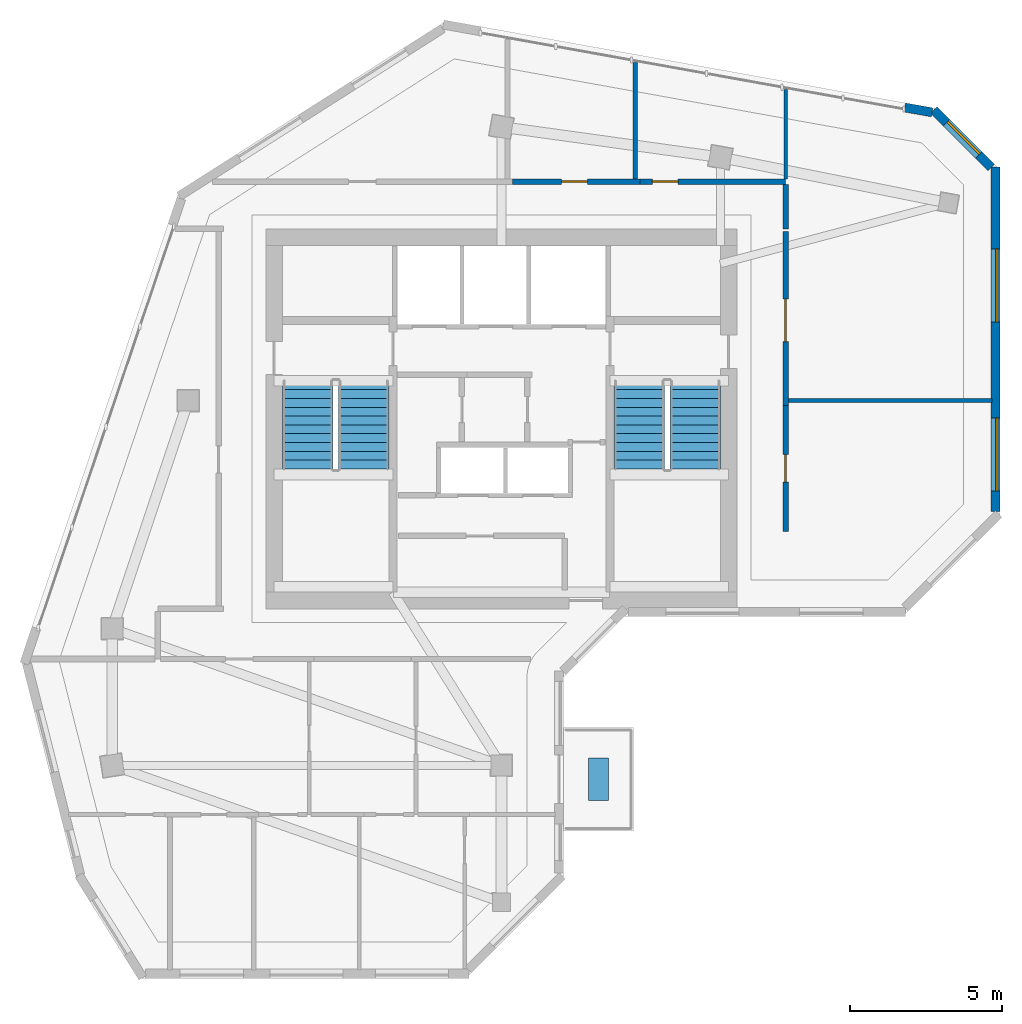
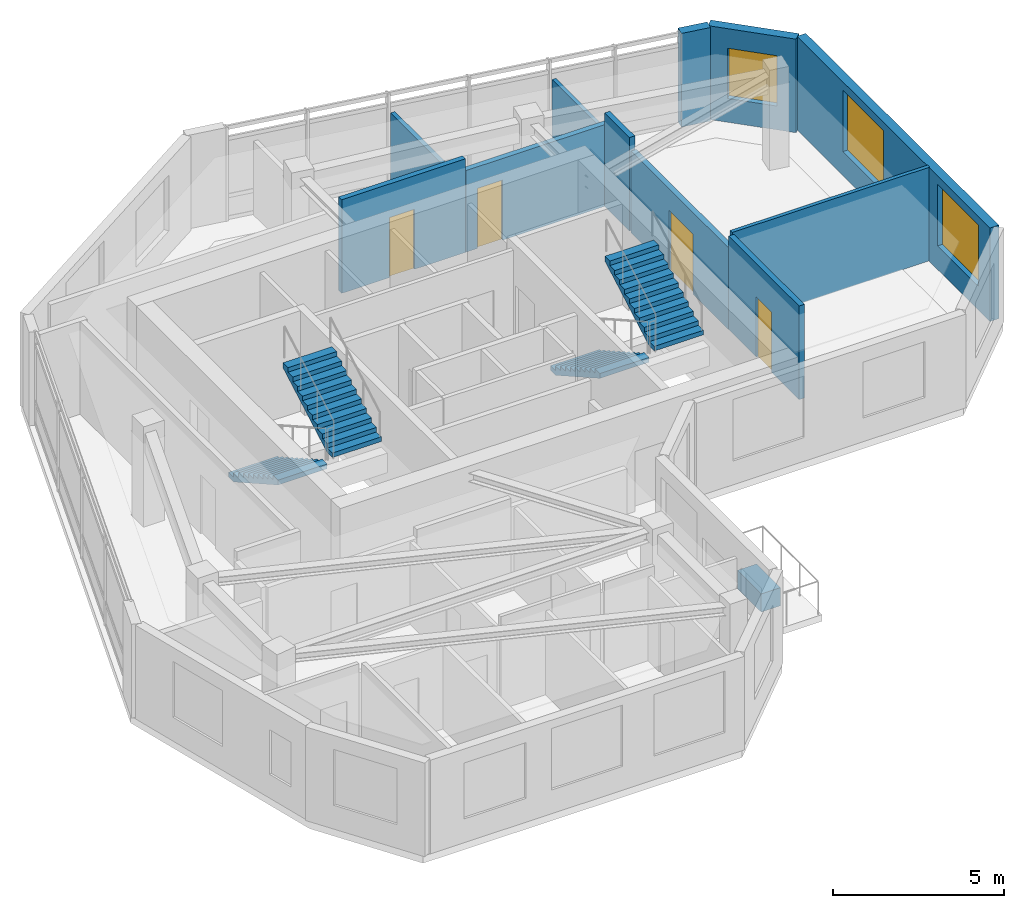
# One storey, part 5 of 7: 11 walls, 4 doors, 4 stair flights, 3 windows, 1 discrete accessory, 7 openings, 2 elements without a shape of their own.
"""IFC4 building model written with IfcOpenShell, lengths in metres."""

from ifc_helpers import new_model, si_unit, direction, frame, frame_2d, origin, origin_2d, place, context, subcontext, project, spatial, polyline, rectangle, outline, extrude, source, transform, mapped, material, layer, layer_set, type_object, element, fill, aggregate, save


model = new_model("IFC4")

# Units and contexts
model_context = context("Model", 3, precision=1e-05, world=origin(), true_north=direction((0.0, 1.0)))
body_context = subcontext(model_context, "Body", "Model", "MODEL_VIEW")
ifc_project = project(units=[si_unit("LENGTHUNIT", "METRE"), si_unit("AREAUNIT", "SQUARE_METRE"), si_unit("VOLUMEUNIT", "CUBIC_METRE"), si_unit("PLANEANGLEUNIT", "RADIAN"), si_unit("MASSUNIT", "GRAM", prefix="KILO")], contexts=[model_context])

# Site, building, storey
site_placement = place(None, origin())
site = spatial("IfcSite", under=ifc_project, at=site_placement, CompositionType="ELEMENT")
building_placement = place(site_placement, origin())
building = spatial("IfcBuilding", under=site, at=building_placement, Name="Calvemar Wedge Station Tower", CompositionType="ELEMENT")
storey_placement = place(building_placement, frame((0.0, 0.0, 288.89990234375)))
storey = spatial("IfcBuildingStorey", under=building, at=storey_placement, Name="L74", CompositionType="ELEMENT", Elevation=288.89990234375)

# Wall, opening, door
ifc_material_1 = material(Name="Double-stud fire-rated corridor partition")
ifc_layer_1 = layer(ifc_material_1, 0.179931640625)
ifc_layer_set_1 = layer_set([ifc_layer_1], Name="Double-stud fire-rated corridor partition")
wall_type_1 = type_object("IfcWallType", Name="W-CORR-180", PredefinedType="PARTITIONING", material=ifc_layer_set_1)
wall_1_placement = place(storey_placement, frame((24.162109375, 47.699951171875, 0.0), z_axis=(0.0, 0.0, 1.0), x_axis=(1.0, 0.0, 0.0)))
wall_1 = element("IfcWall", 1, at=wall_1_placement, inside=storey, type_object=wall_type_1, Name="Storey L74 Interior Partition WL-L74-017", PredefinedType="PARTITIONING", context=body_context, shape_type="SweptSolid", body=[
    extrude(rectangle(XDim=4.197998046875, YDim=0.179931640625, at=frame_2d((2.09912109375, 0.0))), origin(), (0.0, 0.0, 1.0), 3.35009765625),
])
shared_shape_1 = source(origin(), body_context, "Body", "SweptSolid", [
    extrude(rectangle(XDim=0.85009765625, YDim=2.14990234375, at=frame_2d((0.425048828125, 1.074951171875))), frame((0.0, 0.10009765625, 0.0), z_axis=(0.0, -1.0, 0.0), x_axis=(1.0, 0.0, 0.0)), (0.0, 0.0, 1.0), 0.199951171875),
])
opening_1_placement = place(wall_1_placement, frame((1.61328125, 0.0, 0.0)))
opening_1 = element("IfcOpeningElement", 2, at=opening_1_placement, cuts=wall_1, Name="Opening D-02", PredefinedType="OPENING", context=body_context, shape_type="MappedRepresentation", body=[
    mapped(shared_shape_1, transform((0.0, 0.0, 0.0), scale=1.0)),
])
ifc_material_2 = material(Name="Moisture-sealed bathroom hardwood swing door", Category="wood")
door_type_1 = type_object("IfcDoorType", Name="DR-WET-850", OperationType="NOTDEFINED", PredefinedType="DOOR", material=ifc_material_2)
shared_shape_2 = source(origin(), body_context, "Body", "SweptSolid", [
    extrude(rectangle(XDim=0.85009765625, YDim=2.14990234375, at=frame_2d((0.425048828125, 1.074951171875))), frame((0.0, 0.02490234375, 0.0), z_axis=(0.0, -1.0, 0.0), x_axis=(1.0, 0.0, 0.0)), (0.0, 0.0, 1.0), 0.050048828125),
])
door_1_placement = place(opening_1_placement, origin())
door_1 = element("IfcDoor", 3, at=door_1_placement, inside=storey, type_object=door_type_1, Name="L74 Accessible WC Door", OperationType="SINGLE_SWING_LEFT", OverallHeight=2.14990234375, OverallWidth=0.85009765625, PredefinedType="DOOR", context=body_context, shape_type="MappedRepresentation", body=[
    mapped(shared_shape_2, transform((0.0, 0.0, 0.0), scale=1.0)),
])
fill(opening_1, door_1)

wall_2_placement = place(storey_placement, frame((28.362060546875, 47.699951171875, 0.0), z_axis=(0.0, 0.0, 1.0), x_axis=(1.0, 0.0, 0.0)))
wall_2 = element("IfcWall", 4, at=wall_2_placement, inside=storey, type_object=wall_type_1, Name="Storey L74 Interior Partition WL-L74-018", PredefinedType="PARTITIONING", context=body_context, shape_type="SweptSolid", body=[
    extrude(rectangle(XDim=4.787841796875, YDim=0.179931640625, at=frame_2d((2.39404296875, 0.0))), origin(), (0.0, 0.0, 1.0), 2.922119140625),
])
opening_2_placement = place(wall_2_placement, frame((0.400634765625, 0.0, 0.0)))
opening_2 = element("IfcOpeningElement", 5, at=opening_2_placement, cuts=wall_2, Name="Opening D-02", PredefinedType="OPENING", context=body_context, shape_type="MappedRepresentation", body=[
    mapped(shared_shape_1, transform((0.0, 0.0, 0.0), scale=1.0)),
])
door_2_placement = place(opening_2_placement, origin())
door_2 = element("IfcDoor", 6, at=door_2_placement, inside=storey, type_object=door_type_1, Name="L74 Storage Room Door", OperationType="SINGLE_SWING_RIGHT", OverallHeight=2.14990234375, OverallWidth=0.85009765625, PredefinedType="DOOR", context=body_context, shape_type="MappedRepresentation", body=[
    mapped(shared_shape_2, transform((0.0, 0.0, 0.0), scale=1.0)),
])
fill(opening_2, door_2)

# Wall
wall_3_placement = place(storey_placement, frame((33.14990234375, 47.60595703125, 0.0), z_axis=(0.0, 0.0, 1.0), x_axis=(0.0, -1.0, 0.0)))
element("IfcWall", 7, at=wall_3_placement, inside=storey, type_object=wall_type_1, Name="Storey L74 Interior Partition WL-L74-019", PredefinedType="PARTITIONING", context=body_context, shape_type="SweptSolid", body=[
    extrude(rectangle(XDim=1.4560546875, YDim=0.179931640625, at=frame_2d((0.72802734375, 0.0))), origin(), (0.0, 0.0, 1.0), 3.35009765625),
])

# Wall, opening, door
wall_4_placement = place(storey_placement, frame((33.14990234375, 46.055908203125, 0.0), z_axis=(0.0, 0.0, 1.0), x_axis=(0.0, -1.0, 0.0)))
wall_4 = element("IfcWall", 8, at=wall_4_placement, inside=storey, type_object=wall_type_1, Name="Storey L74 Interior Partition WL-L74-020", PredefinedType="PARTITIONING", context=body_context, shape_type="SweptSolid", body=[
    extrude(rectangle(XDim=5.7158203125, YDim=0.179931640625, at=frame_2d((2.85791015625, 0.0))), origin(), (0.0, 0.0, 1.0), 2.922119140625),
])
shared_shape_3 = source(origin(), body_context, "Body", "SweptSolid", [
    extrude(rectangle(XDim=1.39990234375, YDim=2.14990234375, at=frame_2d((0.699951171875, 1.074951171875))), frame((0.0, 0.10009765625, 0.0), z_axis=(0.0, -1.0, 0.0), x_axis=(1.0, 0.0, 0.0)), (0.0, 0.0, 1.0), 0.199951171875),
])
opening_3_placement = place(wall_4_placement, frame((2.218505859375, 0.0, 0.0)))
opening_3 = element("IfcOpeningElement", 9, at=opening_3_placement, cuts=wall_4, Name="Opening DD-140", PredefinedType="OPENING", context=body_context, shape_type="MappedRepresentation", body=[
    mapped(shared_shape_3, transform((0.0, 0.0, 0.0), scale=1.0)),
])
ifc_material_3 = material(Name="Double-leaf corridor acoustic fire door EI 60")
door_type_2 = type_object("IfcDoorType", Name="DR-DBL-1400", OperationType="DOUBLE_DOOR_SINGLE_SWING", PredefinedType="DOOR", material=ifc_material_3)
shared_shape_4 = source(origin(), body_context, "Body", "SweptSolid", [
    extrude(rectangle(XDim=1.39990234375, YDim=2.14990234375, at=frame_2d((0.699951171875, 1.074951171875))), frame((0.0, 0.02490234375, 0.0), z_axis=(0.0, -1.0, 0.0), x_axis=(1.0, 0.0, 0.0)), (0.0, 0.0, 1.0), 0.050048828125),
])
door_3_placement = place(opening_3_placement, origin())
door_3 = element("IfcDoor", 10, at=door_3_placement, inside=storey, type_object=door_type_2, Name="L74 Observatory Wellness Lounge Door", OperationType="SINGLE_SWING_LEFT", OverallHeight=2.14990234375, OverallWidth=1.39990234375, PredefinedType="DOOR", context=body_context, shape_type="MappedRepresentation", body=[
    mapped(shared_shape_4, transform((0.0, 0.0, 0.0), scale=1.0)),
])
fill(opening_3, door_3)

wall_5_placement = place(storey_placement, frame((33.14990234375, 40.337890625, 0.0), z_axis=(0.0, 0.0, 1.0), x_axis=(0.0, -1.0, 0.0)))
wall_5 = element("IfcWall", 11, at=wall_5_placement, inside=storey, type_object=wall_type_1, Name="Storey L74 Interior Partition WL-L74-021", PredefinedType="PARTITIONING", context=body_context, shape_type="SweptSolid", body=[
    extrude(rectangle(XDim=4.137939453125, YDim=0.179931640625, at=frame_2d((2.06884765625, 0.0))), origin(), (0.0, 0.0, 1.0), 3.35009765625),
])
shared_shape_5 = source(origin(), body_context, "Body", "SweptSolid", [
    extrude(rectangle(XDim=0.89990234375, YDim=2.14990234375, at=frame_2d((0.449951171875, 1.074951171875))), frame((0.0, 0.10009765625, 0.0), z_axis=(0.0, -1.0, 0.0), x_axis=(1.0, 0.0, 0.0)), (0.0, 0.0, 1.0), 0.199951171875),
])
opening_4_placement = place(wall_5_placement, frame((1.618896484375, 0.0, 0.0)))
opening_4 = element("IfcOpeningElement", 12, at=opening_4_placement, cuts=wall_5, Name="Opening D-01", PredefinedType="OPENING", context=body_context, shape_type="MappedRepresentation", body=[
    mapped(shared_shape_5, transform((0.0, 0.0, 0.0), scale=1.0)),
])
ifc_material_4 = material(Name="Architectural hardwood acoustic swing door", Category="wood")
door_type_3 = type_object("IfcDoorType", Name="DR-INT-900", OperationType="NOTDEFINED", PredefinedType="DOOR", material=ifc_material_4)
shared_shape_6 = source(origin(), body_context, "Body", "SweptSolid", [
    extrude(rectangle(XDim=0.89990234375, YDim=2.14990234375, at=frame_2d((0.449951171875, 1.074951171875))), frame((0.0, 0.02490234375, 0.0), z_axis=(0.0, -1.0, 0.0), x_axis=(1.0, 0.0, 0.0)), (0.0, 0.0, 1.0), 0.050048828125),
])
door_4_placement = place(opening_4_placement, origin())
door_4 = element("IfcDoor", 13, at=door_4_placement, inside=storey, type_object=door_type_3, Name="L74 Executive Boardroom Door", OperationType="SINGLE_SWING_RIGHT", OverallHeight=2.14990234375, OverallWidth=0.89990234375, PredefinedType="DOOR", context=body_context, shape_type="MappedRepresentation", body=[
    mapped(shared_shape_6, transform((0.0, 0.0, 0.0), scale=1.0)),
])
fill(opening_4, door_4)

# Wall, openings, windows
ifc_material_5 = material(Name="Precast concrete C45", Category="concrete")
ifc_layer_2 = layer(ifc_material_5, 0.300048828125)
ifc_layer_set_2 = layer_set([ifc_layer_2], Name="Precast concrete C45")
wall_type_2 = type_object("IfcWallType", Name="W-EXT-GFRC-300", PredefinedType="SOLIDWALL", material=ifc_layer_set_2)
wall_6_placement = place(storey_placement, frame((40.050048828125, 36.857421875, 0.0), z_axis=(0.0, 0.0, 1.0), x_axis=(0.0, 1.0, 0.0)))
wall_6 = element("IfcWall", 14, at=wall_6_placement, inside=storey, type_object=wall_type_2, Name="Storey L74 Bronze GFRC Exterior Wall 8", PredefinedType="SOLIDWALL", context=body_context, shape_type="SweptSolid", body=[
    extrude(rectangle(XDim=11.318359375, YDim=0.300048828125, at=frame_2d((5.6591796875, 0.0))), origin(), (0.0, 0.0, 1.0), 3.35009765625),
])
shared_shape_7 = source(origin(), body_context, "Body", "SweptSolid", [
    extrude(rectangle(XDim=2.39990234375, YDim=2.199951171875, at=frame_2d((1.199951171875, 1.10009765625))), frame((0.0, 0.16015625, 0.0), z_axis=(0.0, -1.0, 0.0), x_axis=(1.0, 0.0, 0.0)), (0.0, 0.0, 1.0), 0.320068359375),
])
opening_5_placement = place(wall_6_placement, frame((0.6708984375, 0.0, 0.85009765625)))
opening_5 = element("IfcOpeningElement", 15, at=opening_5_placement, cuts=wall_6, Name="Opening W1", PredefinedType="OPENING", context=body_context, shape_type="MappedRepresentation", body=[
    mapped(shared_shape_7, transform((0.0, 0.0, 0.0), scale=1.0)),
])
opening_6_placement = place(wall_6_placement, frame((6.23095703125, 0.0, 0.85009765625)))
opening_6 = element("IfcOpeningElement", 16, at=opening_6_placement, cuts=wall_6, Name="Opening W1", PredefinedType="OPENING", context=body_context, shape_type="MappedRepresentation", body=[
    mapped(shared_shape_7, transform((0.0, 0.0, 0.0), scale=1.0)),
])
ifc_material_6 = material(Name="Low-E laminated insulated glass", Category="glass")
window_type_1 = type_object("IfcWindowType", Name="WIN-EXT-1", PartitioningType="SINGLE_PANEL", PredefinedType="WINDOW", material=ifc_material_6)
shared_shape_8 = source(origin(), body_context, "Body", "SweptSolid", [
    extrude(rectangle(XDim=2.39990234375, YDim=2.199951171875, at=frame_2d((1.199951171875, 1.10009765625))), frame((0.0, -0.014892578125, 0.0), z_axis=(0.0, -1.0, 0.0), x_axis=(1.0, 0.0, 0.0)), (0.0, 0.0, 1.0), 0.06005859375),
])
window_1_placement = place(opening_5_placement, origin())
window_1 = element("IfcWindow", 17, at=window_1_placement, inside=storey, type_object=window_type_1, Name="Storey L74 Recessed Window 8.1", OverallHeight=2.199951171875, OverallWidth=2.39990234375, PartitioningType="SINGLE_PANEL", PredefinedType="WINDOW", context=body_context, shape_type="MappedRepresentation", body=[
    mapped(shared_shape_8, transform((0.0, 0.0, 0.0), scale=1.0)),
])
fill(opening_5, window_1)
window_2_placement = place(opening_6_placement, origin())
window_2 = element("IfcWindow", 18, at=window_2_placement, inside=storey, type_object=window_type_1, Name="Storey L74 Recessed Window 8.2", OverallHeight=2.199951171875, OverallWidth=2.39990234375, PartitioningType="SINGLE_PANEL", PredefinedType="WINDOW", context=body_context, shape_type="MappedRepresentation", body=[
    mapped(shared_shape_8, transform((0.0, 0.0, 0.0), scale=1.0)),
])
fill(opening_6, window_2)

# Wall, opening, window
wall_7_placement = place(storey_placement, frame((39.912109375, 48.163818359375, 0.0), z_axis=(0.0, 0.0, 1.0), x_axis=(-0.70715242601, 0.707061133417, 0.0)))
wall_7 = element("IfcWall", 19, at=wall_7_placement, inside=storey, type_object=wall_type_2, Name="Storey L74 Bronze GFRC Exterior Wall 9", PredefinedType="SOLIDWALL", context=body_context, shape_type="SweptSolid", body=[
    extrude(rectangle(XDim=2.67431640625, YDim=0.300048828125, at=frame_2d((1.337158203125, 0.0))), origin(), (0.0, 0.0, 1.0), 3.35009765625),
])
shared_shape_9 = source(origin(), body_context, "Body", "SweptSolid", [
    extrude(rectangle(XDim=1.5, YDim=1.800048828125, at=frame_2d((0.75, 0.89990234375))), frame((0.0, 0.16015625, 0.0), z_axis=(0.0, -1.0, 0.0), x_axis=(1.0, 0.0, 0.0)), (0.0, 0.0, 1.0), 0.320068359375),
])
opening_7_placement = place(wall_7_placement, frame((0.5869140625, 0.0, 0.85009765625)))
opening_7 = element("IfcOpeningElement", 20, at=opening_7_placement, cuts=wall_7, Name="Opening W3", PredefinedType="OPENING", context=body_context, shape_type="MappedRepresentation", body=[
    mapped(shared_shape_9, transform((0.0, 0.0, 0.0), scale=1.0)),
])
window_type_2 = type_object("IfcWindowType", Name="WIN-EXT-3", PartitioningType="SINGLE_PANEL", PredefinedType="WINDOW", material=ifc_material_6)
shared_shape_10 = source(origin(), body_context, "Body", "SweptSolid", [
    extrude(rectangle(XDim=1.5, YDim=1.800048828125, at=frame_2d((0.75, 0.89990234375))), frame((0.0, -0.014892578125, 0.0), z_axis=(0.0, -1.0, 0.0), x_axis=(1.0, 0.0, 0.0)), (0.0, 0.0, 1.0), 0.06005859375),
])
window_3_placement = place(opening_7_placement, origin())
window_3 = element("IfcWindow", 21, at=window_3_placement, inside=storey, type_object=window_type_2, Name="Storey L74 Recessed Window 9.1", OverallHeight=1.800048828125, OverallWidth=1.5, PartitioningType="SINGLE_PANEL", PredefinedType="WINDOW", context=body_context, shape_type="MappedRepresentation", body=[
    mapped(shared_shape_10, transform((0.0, 0.0, 0.0), scale=1.0)),
])
fill(opening_7, window_3)

# Walls
wall_8_placement = place(storey_placement, frame((37.961669921875, 49.978515625, 0.0), z_axis=(0.0, 0.0, 1.0), x_axis=(-0.984215051171, 0.176976645491, 0.0)))
element("IfcWall", 22, at=wall_8_placement, inside=storey, type_object=wall_type_2, Name="Storey L74 Bronze GFRC Corner Pier 10A", PredefinedType="SOLIDWALL", context=body_context, shape_type="SweptSolid", body=[
    extrude(rectangle(XDim=0.911865234375, YDim=0.300048828125, at=frame_2d((0.4560546875, 0.0))), origin(), (0.0, 0.0, 1.0), 3.35009765625),
])
ifc_material_7 = material(Name="Insulated acoustic gypsum stud partition")
ifc_layer_3 = layer(ifc_material_7, 0.125)
ifc_layer_set_3 = layer_set([ifc_layer_3], Name="Insulated acoustic gypsum stud partition")
wall_type_3 = type_object("IfcWallType", Name="W-PART-125", PredefinedType="PARTITIONING", material=ifc_layer_set_3)
wall_9_placement = place(storey_placement, frame((33.14990234375, 50.7265625, 0.0), z_axis=(0.0, 0.0, 1.0), x_axis=(0.0, -1.0, 0.0)))
element("IfcWall", 23, at=wall_9_placement, inside=storey, type_object=wall_type_3, Name="Storey L74 Interior Partition WL-L74-025", PredefinedType="PARTITIONING", context=body_context, shape_type="SweptSolid", body=[
    extrude(rectangle(XDim=2.9326171875, YDim=0.125, at=frame_2d((1.46630859375, 0.0))), origin(), (0.0, 0.0, 1.0), 2.64208984375),
])
wall_10_placement = place(storey_placement, frame((39.93505859375, 40.5, 0.0), z_axis=(0.0, 0.0, 1.0), x_axis=(-1.0, 0.0, 0.0)))
element("IfcWall", 24, at=wall_10_placement, inside=storey, type_object=wall_type_3, Name="Storey L74 Interior Partition WL-L74-026", PredefinedType="PARTITIONING", context=body_context, shape_type="SweptSolid", body=[
    extrude(rectangle(XDim=6.691162109375, YDim=0.125, at=frame_2d((3.345703125, 0.0))), origin(), (0.0, 0.0, 1.0), 3.35009765625),
])
ifc_material_8 = material(Name="Moisture-resistant acoustic bathroom partition")
ifc_layer_4 = layer(ifc_material_8, 0.14990234375)
ifc_layer_set_4 = layer_set([ifc_layer_4], Name="Moisture-resistant acoustic bathroom partition")
wall_type_4 = type_object("IfcWallType", Name="W-WET-150", PredefinedType="PARTITIONING", material=ifc_layer_set_4)
wall_11_placement = place(storey_placement, frame((28.199951171875, 51.6162109375, 0.0), z_axis=(0.0, 0.0, 1.0), x_axis=(0.0, -1.0, 0.0)))
element("IfcWall", 25, at=wall_11_placement, inside=storey, type_object=wall_type_4, Name="Storey L74 Interior Partition WL-L74-024", PredefinedType="PARTITIONING", context=body_context, shape_type="SweptSolid", body=[
    extrude(rectangle(XDim=3.822265625, YDim=0.14990234375, at=frame_2d((1.9111328125, 0.0))), origin(), (0.0, 0.0, 1.0), 2.64208984375),
])

# Stair, stair flights
ifc_material_9 = material(Name="Concrete C45", Category="concrete")
stair_type = type_object("IfcStairType", Name="ST-TYPE-3600", PredefinedType="HALF_TURN_STAIR", material=ifc_material_9)
stair_1_placement = place(storey_placement, origin())
stair_1 = element("IfcStair", 26, at=stair_1_placement, inside=storey, type_object=stair_type, Name="L74 Pressurized Core Exit Stair ST-C1", PredefinedType="HALF_TURN_STAIR")
stair_flight_type = type_object("IfcStairFlightType", Name="STF-TYPE-3600", PredefinedType="STRAIGHT", material=ifc_material_9)
stair_flight_1_placement = place(storey_placement, frame((17.429931640625, 41.14990234375, 0.0), z_axis=(0.0, 0.0, 1.0), x_axis=(0.0, -1.0, 0.0)))
stair_flight_1 = element("IfcStairFlight", 27, at=stair_flight_1_placement, type_object=stair_flight_type, Name="ST-C1 flight 1", NumberOfRisers=11, NumberOfTreads=10, PredefinedType="STRAIGHT", RiserHeight=0.163636364, TreadLength=0.29, context=body_context, shape_type="SweptSolid", body=[
    extrude(outline(polyline([(0.0, 0.0), (0.0, 0.16357421875), (0.2900390625, 0.16357421875), (0.2900390625, 0.327392578125), (0.580078125, 0.327392578125), (0.580078125, 0.490966796875), (0.8701171875, 0.490966796875), (0.8701171875, 0.654541015625), (1.159912109375, 0.654541015625), (1.159912109375, 0.818115234375), (1.449951171875, 0.818115234375), (1.449951171875, 0.98193359375), (1.739990234375, 0.98193359375), (1.739990234375, 1.1455078125), (2.030029296875, 1.1455078125), (2.030029296875, 1.30908203125), (2.320068359375, 1.30908203125), (2.320068359375, 1.47265625), (2.610107421875, 1.47265625), (2.610107421875, 1.636474609375), (2.89990234375, 1.636474609375), (2.89990234375, 1.800048828125), (2.89990234375, 1.46435546875), (0.304931640625, 0.0), (0.0, 0.0)])), frame((0.0, 0.830078125, 0.0), z_axis=(0.0, -1.0, 0.0), x_axis=(1.0, 0.0, 0.0)), (0.0, 0.0, 1.0), 1.659912109375),
])
stair_flight_2_placement = place(storey_placement, frame((19.27001953125, 38.25, 1.800048828125), z_axis=(0.0, 0.0, 1.0), x_axis=(0.0, 1.0, 0.0)))
stair_flight_2 = element("IfcStairFlight", 28, at=stair_flight_2_placement, type_object=stair_flight_type, Name="ST-C1 flight 2", NumberOfRisers=11, NumberOfTreads=10, PredefinedType="STRAIGHT", RiserHeight=0.163636364, TreadLength=0.29, context=body_context, shape_type="SweptSolid", body=[
    extrude(outline(polyline([(0.0, 0.0), (0.0, 0.16357421875), (0.2900390625, 0.16357421875), (0.2900390625, 0.327392578125), (0.580078125, 0.327392578125), (0.580078125, 0.490966796875), (0.8701171875, 0.490966796875), (0.8701171875, 0.654541015625), (1.159912109375, 0.654541015625), (1.159912109375, 0.818115234375), (1.449951171875, 0.818115234375), (1.449951171875, 0.98193359375), (1.739990234375, 0.98193359375), (1.739990234375, 1.1455078125), (2.030029296875, 1.1455078125), (2.030029296875, 1.30908203125), (2.320068359375, 1.30908203125), (2.320068359375, 1.47265625), (2.610107421875, 1.47265625), (2.610107421875, 1.636474609375), (2.89990234375, 1.636474609375), (2.89990234375, 1.800048828125), (2.89990234375, 1.46435546875), (0.304931640625, 0.0), (0.0, 0.0)])), frame((0.0, 0.830078125, 0.0), z_axis=(0.0, -1.0, 0.0), x_axis=(1.0, 0.0, 0.0)), (0.0, 0.0, 1.0), 1.659912109375),
])
aggregate(stair_1, [stair_flight_1, stair_flight_2])

stair_2_placement = place(storey_placement, origin())
stair_2 = element("IfcStair", 29, at=stair_2_placement, inside=storey, type_object=stair_type, Name="L74 Pressurized Core Exit Stair ST-C2", PredefinedType="HALF_TURN_STAIR")
stair_flight_3_placement = place(storey_placement, frame((28.330078125, 41.14990234375, 0.0), z_axis=(0.0, 0.0, 1.0), x_axis=(0.0, -1.0, 0.0)))
stair_flight_3 = element("IfcStairFlight", 30, at=stair_flight_3_placement, type_object=stair_flight_type, Name="ST-C2 flight 1", NumberOfRisers=11, NumberOfTreads=10, PredefinedType="STRAIGHT", RiserHeight=0.163636364, TreadLength=0.29, context=body_context, shape_type="SweptSolid", body=[
    extrude(outline(polyline([(0.0, 0.0), (0.0, 0.16357421875), (0.2900390625, 0.16357421875), (0.2900390625, 0.327392578125), (0.580078125, 0.327392578125), (0.580078125, 0.490966796875), (0.8701171875, 0.490966796875), (0.8701171875, 0.654541015625), (1.159912109375, 0.654541015625), (1.159912109375, 0.818115234375), (1.449951171875, 0.818115234375), (1.449951171875, 0.98193359375), (1.739990234375, 0.98193359375), (1.739990234375, 1.1455078125), (2.030029296875, 1.1455078125), (2.030029296875, 1.30908203125), (2.320068359375, 1.30908203125), (2.320068359375, 1.47265625), (2.610107421875, 1.47265625), (2.610107421875, 1.636474609375), (2.89990234375, 1.636474609375), (2.89990234375, 1.800048828125), (2.89990234375, 1.46435546875), (0.304931640625, 0.0), (0.0, 0.0)])), frame((0.0, 0.830078125, 0.0), z_axis=(0.0, -1.0, 0.0), x_axis=(1.0, 0.0, 0.0)), (0.0, 0.0, 1.0), 1.659912109375),
])
stair_flight_4_placement = place(storey_placement, frame((30.169921875, 38.25, 1.800048828125), z_axis=(0.0, 0.0, 1.0), x_axis=(0.0, 1.0, 0.0)))
stair_flight_4 = element("IfcStairFlight", 31, at=stair_flight_4_placement, type_object=stair_flight_type, Name="ST-C2 flight 2", NumberOfRisers=11, NumberOfTreads=10, PredefinedType="STRAIGHT", RiserHeight=0.163636364, TreadLength=0.29, context=body_context, shape_type="SweptSolid", body=[
    extrude(outline(polyline([(0.0, 0.0), (0.0, 0.16357421875), (0.2900390625, 0.16357421875), (0.2900390625, 0.327392578125), (0.580078125, 0.327392578125), (0.580078125, 0.490966796875), (0.8701171875, 0.490966796875), (0.8701171875, 0.654541015625), (1.159912109375, 0.654541015625), (1.159912109375, 0.818115234375), (1.449951171875, 0.818115234375), (1.449951171875, 0.98193359375), (1.739990234375, 0.98193359375), (1.739990234375, 1.1455078125), (2.030029296875, 1.1455078125), (2.030029296875, 1.30908203125), (2.320068359375, 1.30908203125), (2.320068359375, 1.47265625), (2.610107421875, 1.47265625), (2.610107421875, 1.636474609375), (2.89990234375, 1.636474609375), (2.89990234375, 1.800048828125), (2.89990234375, 1.46435546875), (0.304931640625, 0.0), (0.0, 0.0)])), frame((0.0, 0.830078125, 0.0), z_axis=(0.0, -1.0, 0.0), x_axis=(1.0, 0.0, 0.0)), (0.0, 0.0, 1.0), 1.659912109375),
])
aggregate(stair_2, [stair_flight_3, stair_flight_4])

# Discrete accessory
discrete_accessory_type = type_object("IfcDiscreteAccessoryType", Name="ACC-PLANTER", PredefinedType="USERDEFINED", material=ifc_material_5)
shared_shape_11 = source(origin(), body_context, "Body", "SweptSolid", [
    extrude(rectangle(XDim=0.64990234375, YDim=1.39990234375, at=origin_2d()), origin(), (0.0, 0.0, 1.0), 0.64990234375),
])
discrete_accessory_placement = place(storey_placement, frame((26.989990234375, 28.050048828125, 0.000244140625), z_axis=(0.0, 0.0, 1.0), x_axis=(1.0, 0.0, 0.0)))
element("IfcDiscreteAccessory", 32, at=discrete_accessory_placement, inside=storey, type_object=discrete_accessory_type, Name="Storey L74 Planted Terrace GFRC Planter", ObjectType="PLANTER", PredefinedType="USERDEFINED", context=body_context, shape_type="MappedRepresentation", body=[
    mapped(shared_shape_11, transform((0.0, 0.0, 0.0), scale=1.0)),
])

save(model, "model.ifc")
